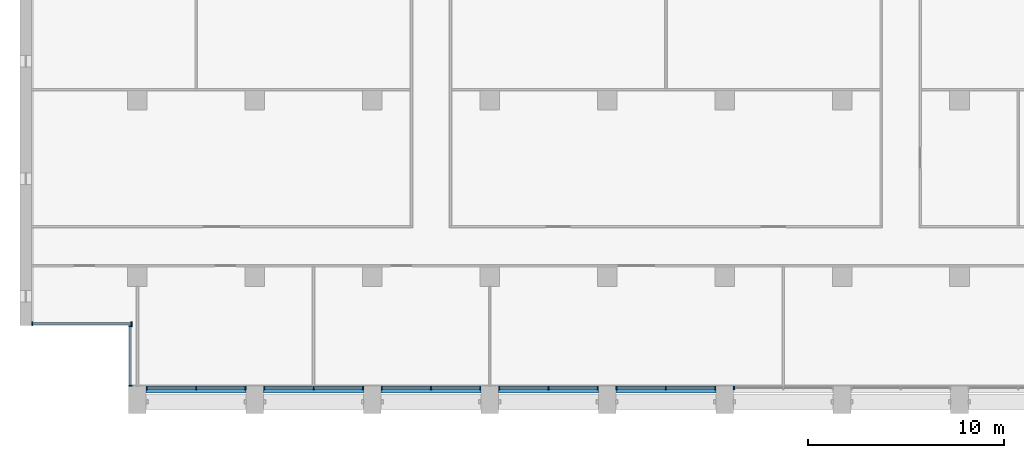
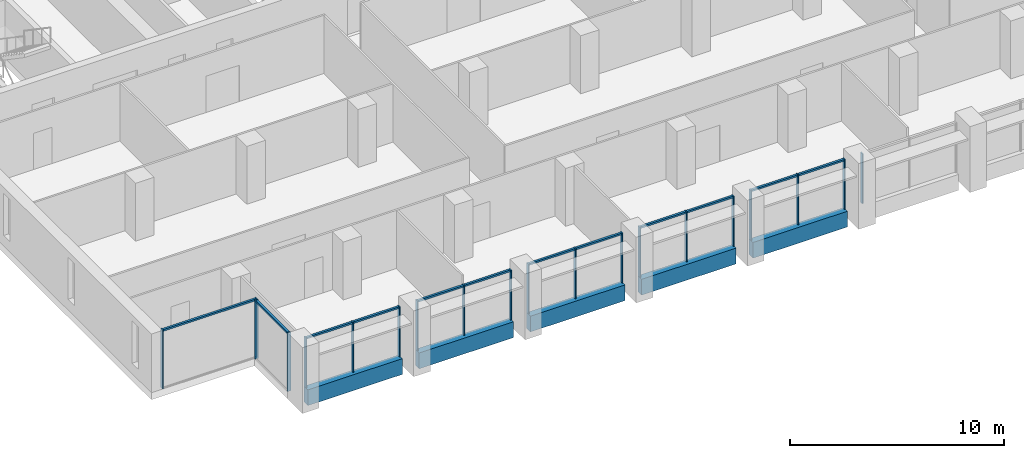
# One storey, part 2 of 17: 32 members, 5 beams, 8 elements without a shape of their own.
"""IFC4 building model written with IfcOpenShell, lengths in metres."""

from ifc_helpers import new_model, si_unit, direction, frame, origin, origin_2d, place, context, subcontext, project, spatial, rectangle, extrude, material, material_profile, profile_set, type_object, element, aggregate, save


model = new_model("IFC4")

# Units and contexts
model_context = context("Model", 3, precision=1e-05, world=origin(), true_north=direction((0.0, 1.0)))
body_context = subcontext(model_context, "Body", "Model", "MODEL_VIEW")
ifc_project = project(units=[si_unit("LENGTHUNIT", "METRE"), si_unit("AREAUNIT", "SQUARE_METRE"), si_unit("VOLUMEUNIT", "CUBIC_METRE"), si_unit("PLANEANGLEUNIT", "RADIAN"), si_unit("MASSUNIT", "GRAM", prefix="KILO")], contexts=[model_context])

# Site, building, storey
site_placement = place(None, origin())
site = spatial("IfcSite", under=ifc_project, at=site_placement, CompositionType="ELEMENT")
building_placement = place(site_placement, origin())
building = spatial("IfcBuilding", under=site, at=building_placement, Name="Calvaro Tower", CompositionType="ELEMENT")
storey_placement = place(building_placement, frame((0.0, 0.0, 215.5)))
storey = spatial("IfcBuildingStorey", under=building, at=storey_placement, Name="L54", CompositionType="ELEMENT", Elevation=215.5)

# Curtain wall, members
ifc_material_1 = material(Name="Anodised aluminium", Category="aluminium")
curtain_wall_type = type_object("IfcCurtainWallType", Name="Office curtain wall, upper zone", PredefinedType="NOTDEFINED", material=ifc_material_1)
curtain_wall_1_placement = place(storey_placement, origin())
curtain_wall_1 = element("IfcCurtainWall", 1, at=curtain_wall_1_placement, inside=storey, type_object=curtain_wall_type, Name="CW3 south curtain wall", PredefinedType="NOTDEFINED")
ifc_material_2 = material(Name="Anodised aluminium", Category="aluminium")
ifc_material_profile_1 = material_profile(ifc_material_2, rectangle(XDim=0.179931640625, YDim=0.06005859375, at=origin_2d()), Name="Mullion S3 60 x 180")
ifc_profile_set_1 = profile_set([ifc_material_profile_1], Name="Anodised aluminium")
member_type_1 = type_object("IfcMemberType", Name="Mullion S3 60 x 180", PredefinedType="MULLION", material=ifc_profile_set_1)
member_1_placement = place(storey_placement, frame((12.47998046875, 4.31005859375, 0.0), z_axis=(0.0, 0.0, 1.0), x_axis=(0.0, 1.0, 0.0)))
member_1 = element("IfcMember", 2, at=member_1_placement, type_object=member_type_1, Name="CW3 mullion 1", PredefinedType="MULLION", context=body_context, shape_type="SweptSolid", body=[
    extrude(rectangle(XDim=0.179931640625, YDim=0.06005859375, at=origin_2d()), origin(), (0.0, 0.0, 1.0), 2.85009765625),
])
member_2_placement = place(storey_placement, frame((15.0, 4.31005859375, 0.0), z_axis=(0.0, 0.0, 1.0), x_axis=(0.0, 1.0, 0.0)))
member_2 = element("IfcMember", 3, at=member_2_placement, type_object=member_type_1, Name="CW3 mullion 2", PredefinedType="MULLION", context=body_context, shape_type="SweptSolid", body=[
    extrude(rectangle(XDim=0.179931640625, YDim=0.06005859375, at=origin_2d()), origin(), (0.0, 0.0, 1.0), 2.85009765625),
])
member_3_placement = place(storey_placement, frame((17.52001953125, 4.31005859375, 0.0), z_axis=(0.0, 0.0, 1.0), x_axis=(0.0, 1.0, 0.0)))
member_3 = element("IfcMember", 4, at=member_3_placement, type_object=member_type_1, Name="CW3 mullion 3", PredefinedType="MULLION", context=body_context, shape_type="SweptSolid", body=[
    extrude(rectangle(XDim=0.179931640625, YDim=0.06005859375, at=origin_2d()), origin(), (0.0, 0.0, 1.0), 2.85009765625),
])

curtain_wall_2_placement = place(storey_placement, origin())
curtain_wall_2 = element("IfcCurtainWall", 5, at=curtain_wall_2_placement, inside=storey, type_object=curtain_wall_type, Name="CW3 south curtain wall", PredefinedType="NOTDEFINED")
member_4_placement = place(storey_placement, frame((18.47998046875, 4.31005859375, 0.0), z_axis=(0.0, 0.0, 1.0), x_axis=(0.0, 1.0, 0.0)))
member_4 = element("IfcMember", 6, at=member_4_placement, type_object=member_type_1, Name="CW3 mullion 1", PredefinedType="MULLION", context=body_context, shape_type="SweptSolid", body=[
    extrude(rectangle(XDim=0.179931640625, YDim=0.06005859375, at=origin_2d()), origin(), (0.0, 0.0, 1.0), 2.85009765625),
])
member_5_placement = place(storey_placement, frame((21.0, 4.31005859375, 0.0), z_axis=(0.0, 0.0, 1.0), x_axis=(0.0, 1.0, 0.0)))
member_5 = element("IfcMember", 7, at=member_5_placement, type_object=member_type_1, Name="CW3 mullion 2", PredefinedType="MULLION", context=body_context, shape_type="SweptSolid", body=[
    extrude(rectangle(XDim=0.179931640625, YDim=0.06005859375, at=origin_2d()), origin(), (0.0, 0.0, 1.0), 2.85009765625),
])
member_6_placement = place(storey_placement, frame((23.52001953125, 4.31005859375, 0.0), z_axis=(0.0, 0.0, 1.0), x_axis=(0.0, 1.0, 0.0)))
member_6 = element("IfcMember", 8, at=member_6_placement, type_object=member_type_1, Name="CW3 mullion 3", PredefinedType="MULLION", context=body_context, shape_type="SweptSolid", body=[
    extrude(rectangle(XDim=0.179931640625, YDim=0.06005859375, at=origin_2d()), origin(), (0.0, 0.0, 1.0), 2.85009765625),
])

curtain_wall_3_placement = place(storey_placement, origin())
curtain_wall_3 = element("IfcCurtainWall", 9, at=curtain_wall_3_placement, inside=storey, type_object=curtain_wall_type, Name="CW3 south curtain wall", PredefinedType="NOTDEFINED")
member_7_placement = place(storey_placement, frame((24.47998046875, 4.31005859375, 0.0), z_axis=(0.0, 0.0, 1.0), x_axis=(0.0, 1.0, 0.0)))
member_7 = element("IfcMember", 10, at=member_7_placement, type_object=member_type_1, Name="CW3 mullion 1", PredefinedType="MULLION", context=body_context, shape_type="SweptSolid", body=[
    extrude(rectangle(XDim=0.179931640625, YDim=0.06005859375, at=origin_2d()), origin(), (0.0, 0.0, 1.0), 2.85009765625),
])
member_8_placement = place(storey_placement, frame((27.0, 4.31005859375, 0.0), z_axis=(0.0, 0.0, 1.0), x_axis=(0.0, 1.0, 0.0)))
member_8 = element("IfcMember", 11, at=member_8_placement, type_object=member_type_1, Name="CW3 mullion 2", PredefinedType="MULLION", context=body_context, shape_type="SweptSolid", body=[
    extrude(rectangle(XDim=0.179931640625, YDim=0.06005859375, at=origin_2d()), origin(), (0.0, 0.0, 1.0), 2.85009765625),
])
member_9_placement = place(storey_placement, frame((29.52001953125, 4.31005859375, 0.0), z_axis=(0.0, 0.0, 1.0), x_axis=(0.0, 1.0, 0.0)))
member_9 = element("IfcMember", 12, at=member_9_placement, type_object=member_type_1, Name="CW3 mullion 3", PredefinedType="MULLION", context=body_context, shape_type="SweptSolid", body=[
    extrude(rectangle(XDim=0.179931640625, YDim=0.06005859375, at=origin_2d()), origin(), (0.0, 0.0, 1.0), 2.85009765625),
])

curtain_wall_4_placement = place(storey_placement, origin())
curtain_wall_4 = element("IfcCurtainWall", 13, at=curtain_wall_4_placement, inside=storey, type_object=curtain_wall_type, Name="CW3 south curtain wall", PredefinedType="NOTDEFINED")
member_10_placement = place(storey_placement, frame((30.47998046875, 4.31005859375, 0.0), z_axis=(0.0, 0.0, 1.0), x_axis=(0.0, 1.0, 0.0)))
member_10 = element("IfcMember", 14, at=member_10_placement, type_object=member_type_1, Name="CW3 mullion 1", PredefinedType="MULLION", context=body_context, shape_type="SweptSolid", body=[
    extrude(rectangle(XDim=0.179931640625, YDim=0.06005859375, at=origin_2d()), origin(), (0.0, 0.0, 1.0), 2.85009765625),
])
member_11_placement = place(storey_placement, frame((33.0, 4.31005859375, 0.0), z_axis=(0.0, 0.0, 1.0), x_axis=(0.0, 1.0, 0.0)))
member_11 = element("IfcMember", 15, at=member_11_placement, type_object=member_type_1, Name="CW3 mullion 2", PredefinedType="MULLION", context=body_context, shape_type="SweptSolid", body=[
    extrude(rectangle(XDim=0.179931640625, YDim=0.06005859375, at=origin_2d()), origin(), (0.0, 0.0, 1.0), 2.85009765625),
])
member_12_placement = place(storey_placement, frame((35.52001953125, 4.31005859375, 0.0), z_axis=(0.0, 0.0, 1.0), x_axis=(0.0, 1.0, 0.0)))
member_12 = element("IfcMember", 16, at=member_12_placement, type_object=member_type_1, Name="CW3 mullion 3", PredefinedType="MULLION", context=body_context, shape_type="SweptSolid", body=[
    extrude(rectangle(XDim=0.179931640625, YDim=0.06005859375, at=origin_2d()), origin(), (0.0, 0.0, 1.0), 2.85009765625),
])

curtain_wall_5_placement = place(storey_placement, origin())
curtain_wall_5 = element("IfcCurtainWall", 17, at=curtain_wall_5_placement, inside=storey, type_object=curtain_wall_type, Name="CW3 south curtain wall", PredefinedType="NOTDEFINED")
member_13_placement = place(storey_placement, frame((36.47998046875, 4.31005859375, 0.0), z_axis=(0.0, 0.0, 1.0), x_axis=(0.0, 1.0, 0.0)))
member_13 = element("IfcMember", 18, at=member_13_placement, type_object=member_type_1, Name="CW3 mullion 1", PredefinedType="MULLION", context=body_context, shape_type="SweptSolid", body=[
    extrude(rectangle(XDim=0.179931640625, YDim=0.06005859375, at=origin_2d()), origin(), (0.0, 0.0, 1.0), 2.85009765625),
])
member_14_placement = place(storey_placement, frame((39.0, 4.31005859375, 0.0), z_axis=(0.0, 0.0, 1.0), x_axis=(0.0, 1.0, 0.0)))
member_14 = element("IfcMember", 19, at=member_14_placement, type_object=member_type_1, Name="CW3 mullion 2", PredefinedType="MULLION", context=body_context, shape_type="SweptSolid", body=[
    extrude(rectangle(XDim=0.179931640625, YDim=0.06005859375, at=origin_2d()), origin(), (0.0, 0.0, 1.0), 2.85009765625),
])
member_15_placement = place(storey_placement, frame((41.52001953125, 4.31005859375, 0.0), z_axis=(0.0, 0.0, 1.0), x_axis=(0.0, 1.0, 0.0)))
member_15 = element("IfcMember", 20, at=member_15_placement, type_object=member_type_1, Name="CW3 mullion 3", PredefinedType="MULLION", context=body_context, shape_type="SweptSolid", body=[
    extrude(rectangle(XDim=0.179931640625, YDim=0.06005859375, at=origin_2d()), origin(), (0.0, 0.0, 1.0), 2.85009765625),
])

# Curtain wall, member
curtain_wall_6_placement = place(storey_placement, origin())
curtain_wall_6 = element("IfcCurtainWall", 21, at=curtain_wall_6_placement, inside=storey, type_object=curtain_wall_type, Name="CW3 south curtain wall", PredefinedType="NOTDEFINED")
member_16_placement = place(storey_placement, frame((42.47998046875, 4.31005859375, 0.0), z_axis=(0.0, 0.0, 1.0), x_axis=(0.0, 1.0, 0.0)))
member_16 = element("IfcMember", 22, at=member_16_placement, type_object=member_type_1, Name="CW3 mullion 1", PredefinedType="MULLION", context=body_context, shape_type="SweptSolid", body=[
    extrude(rectangle(XDim=0.179931640625, YDim=0.06005859375, at=origin_2d()), origin(), (0.0, 0.0, 1.0), 2.85009765625),
])
aggregate(curtain_wall_6, [member_16])

# Curtain wall, members
curtain_wall_7_placement = place(storey_placement, origin())
curtain_wall_7 = element("IfcCurtainWall", 23, at=curtain_wall_7_placement, inside=storey, type_object=curtain_wall_type, Name="CW3 corner curtain wall", PredefinedType="NOTDEFINED")
member_17_placement = place(storey_placement, frame((11.639892578125, 4.429931640625, 0.0), z_axis=(0.0, 0.0, 1.0), x_axis=(-1.0, 0.0, 0.0)))
member_17 = element("IfcMember", 24, at=member_17_placement, type_object=member_type_1, Name="CW3 mullion 1", PredefinedType="MULLION", context=body_context, shape_type="SweptSolid", body=[
    extrude(rectangle(XDim=0.179931640625, YDim=0.06005859375, at=origin_2d()), origin(), (0.0, 0.0, 1.0), 3.35009765625),
])
member_18_placement = place(storey_placement, frame((11.639892578125, 7.469970703125, 0.0), z_axis=(0.0, 0.0, 1.0), x_axis=(-1.0, 0.0, 0.0)))
member_18 = element("IfcMember", 25, at=member_18_placement, type_object=member_type_1, Name="CW3 mullion 2", PredefinedType="MULLION", context=body_context, shape_type="SweptSolid", body=[
    extrude(rectangle(XDim=0.179931640625, YDim=0.06005859375, at=origin_2d()), origin(), (0.0, 0.0, 1.0), 3.35009765625),
])

curtain_wall_8_placement = place(storey_placement, origin())
curtain_wall_8 = element("IfcCurtainWall", 26, at=curtain_wall_8_placement, inside=storey, type_object=curtain_wall_type, Name="CW3 corner curtain wall", PredefinedType="NOTDEFINED")
member_19_placement = place(storey_placement, frame((6.6298828125, 7.590087890625, 0.0), z_axis=(0.0, 0.0, 1.0), x_axis=(0.0, 1.0, 0.0)))
member_19 = element("IfcMember", 27, at=member_19_placement, type_object=member_type_1, Name="CW3 mullion 1", PredefinedType="MULLION", context=body_context, shape_type="SweptSolid", body=[
    extrude(rectangle(XDim=0.179931640625, YDim=0.06005859375, at=origin_2d()), origin(), (0.0, 0.0, 1.0), 3.35009765625),
])
member_20_placement = place(storey_placement, frame((11.699951171875, 7.590087890625, 0.0), z_axis=(0.0, 0.0, 1.0), x_axis=(0.0, 1.0, 0.0)))
member_20 = element("IfcMember", 28, at=member_20_placement, type_object=member_type_1, Name="CW3 mullion 2", PredefinedType="MULLION", context=body_context, shape_type="SweptSolid", body=[
    extrude(rectangle(XDim=0.179931640625, YDim=0.06005859375, at=origin_2d()), origin(), (0.0, 0.0, 1.0), 3.35009765625),
])

# Beams
ifc_material_3 = material(Name="Concrete C50/60 precast", Category="concrete")
ifc_material_profile_2 = material_profile(ifc_material_3, rectangle(XDim=0.35009765625, YDim=0.89990234375, at=origin_2d()), Name="RC 350x900")
ifc_profile_set_2 = profile_set([ifc_material_profile_2], Name="Concrete C50/60 precast")
beam_type = type_object("IfcBeamType", Name="Spandrel beam 350x900 C50/60", PredefinedType="SPANDREL", material=ifc_profile_set_2)
for number, where, z_axis, x_axis, name in (
    (29, (12.449951171875, 4.22509765625, -0.449951171875), (1.0, 0.0, 0.0), (0.0, 1.0, 0.0), "Spandrel beam"),
    (30, (18.449951171875, 4.22509765625, -0.449951171875), (1.0, 0.0, 0.0), (0.0, 1.0, 0.0), "Spandrel beam"),
    (31, (24.449951171875, 4.22509765625, -0.449951171875), (1.0, 0.0, 0.0), (0.0, 1.0, 0.0), "Spandrel beam"),
    (32, (30.449951171875, 4.22509765625, -0.449951171875), (1.0, 0.0, 0.0), (0.0, 1.0, 0.0), "Spandrel beam"),
    (33, (36.449951171875, 4.22509765625, -0.449951171875), (1.0, 0.0, 0.0), (0.0, 1.0, 0.0), "Spandrel beam"),
):
    element("IfcBeam", number, at=place(storey_placement, frame(where, z_axis=z_axis, x_axis=x_axis)), inside=storey, type_object=beam_type, Name=name, PredefinedType="SPANDREL", context=body_context, shape_type="SweptSolid", body=[
        extrude(rectangle(XDim=0.35009765625, YDim=0.89990234375, at=origin_2d()), origin(), (0.0, 0.0, 1.0), 5.10009765625),
    ])

# Member
ifc_material_4 = material(Name="Anodised aluminium", Category="aluminium")
ifc_material_profile_3 = material_profile(ifc_material_4, rectangle(XDim=0.1201171875, YDim=0.10009765625, at=origin_2d()), Name="Transom S3 100 x 120")
ifc_profile_set_3 = profile_set([ifc_material_profile_3], Name="Anodised aluminium")
member_type_2 = type_object("IfcMemberType", Name="Transom S3 100 x 120", PredefinedType="USERDEFINED", material=ifc_profile_set_3)
member_21_placement = place(storey_placement, frame((12.510009765625, 4.31005859375, 2.800048828125), z_axis=(1.0, 0.0, 0.0), x_axis=(0.0, 1.0, 0.0)))
member_21 = element("IfcMember", 34, at=member_21_placement, type_object=member_type_2, Name="CW3 transom 1.1", ObjectType="TRANSOM", PredefinedType="USERDEFINED", context=body_context, shape_type="SweptSolid", body=[
    extrude(rectangle(XDim=0.1201171875, YDim=0.10009765625, at=origin_2d()), origin(), (0.0, 0.0, 1.0), 2.4599609375),
])

member_22_placement = place(storey_placement, frame((15.030029296875, 4.31005859375, 2.800048828125), z_axis=(1.0, 0.0, 0.0), x_axis=(0.0, 1.0, 0.0)))
member_22 = element("IfcMember", 35, at=member_22_placement, type_object=member_type_2, Name="CW3 transom 2.1", ObjectType="TRANSOM", PredefinedType="USERDEFINED", context=body_context, shape_type="SweptSolid", body=[
    extrude(rectangle(XDim=0.1201171875, YDim=0.10009765625, at=origin_2d()), origin(), (0.0, 0.0, 1.0), 2.4599609375),
])

aggregate(curtain_wall_1, [member_1, member_2, member_3, member_21, member_22])

member_23_placement = place(storey_placement, frame((18.510009765625, 4.31005859375, 2.800048828125), z_axis=(1.0, 0.0, 0.0), x_axis=(0.0, 1.0, 0.0)))
member_23 = element("IfcMember", 36, at=member_23_placement, type_object=member_type_2, Name="CW3 transom 1.1", ObjectType="TRANSOM", PredefinedType="USERDEFINED", context=body_context, shape_type="SweptSolid", body=[
    extrude(rectangle(XDim=0.1201171875, YDim=0.10009765625, at=origin_2d()), origin(), (0.0, 0.0, 1.0), 2.4599609375),
])

member_24_placement = place(storey_placement, frame((21.030029296875, 4.31005859375, 2.800048828125), z_axis=(1.0, 0.0, 0.0), x_axis=(0.0, 1.0, 0.0)))
member_24 = element("IfcMember", 37, at=member_24_placement, type_object=member_type_2, Name="CW3 transom 2.1", ObjectType="TRANSOM", PredefinedType="USERDEFINED", context=body_context, shape_type="SweptSolid", body=[
    extrude(rectangle(XDim=0.1201171875, YDim=0.10009765625, at=origin_2d()), origin(), (0.0, 0.0, 1.0), 2.4599609375),
])

aggregate(curtain_wall_2, [member_4, member_5, member_6, member_23, member_24])

member_25_placement = place(storey_placement, frame((24.510009765625, 4.31005859375, 2.800048828125), z_axis=(1.0, 0.0, 0.0), x_axis=(0.0, 1.0, 0.0)))
member_25 = element("IfcMember", 38, at=member_25_placement, type_object=member_type_2, Name="CW3 transom 1.1", ObjectType="TRANSOM", PredefinedType="USERDEFINED", context=body_context, shape_type="SweptSolid", body=[
    extrude(rectangle(XDim=0.1201171875, YDim=0.10009765625, at=origin_2d()), origin(), (0.0, 0.0, 1.0), 2.4599609375),
])

member_26_placement = place(storey_placement, frame((27.030029296875, 4.31005859375, 2.800048828125), z_axis=(1.0, 0.0, 0.0), x_axis=(0.0, 1.0, 0.0)))
member_26 = element("IfcMember", 39, at=member_26_placement, type_object=member_type_2, Name="CW3 transom 2.1", ObjectType="TRANSOM", PredefinedType="USERDEFINED", context=body_context, shape_type="SweptSolid", body=[
    extrude(rectangle(XDim=0.1201171875, YDim=0.10009765625, at=origin_2d()), origin(), (0.0, 0.0, 1.0), 2.4599609375),
])

aggregate(curtain_wall_3, [member_7, member_8, member_9, member_25, member_26])

member_27_placement = place(storey_placement, frame((30.510009765625, 4.31005859375, 2.800048828125), z_axis=(1.0, 0.0, 0.0), x_axis=(0.0, 1.0, 0.0)))
member_27 = element("IfcMember", 40, at=member_27_placement, type_object=member_type_2, Name="CW3 transom 1.1", ObjectType="TRANSOM", PredefinedType="USERDEFINED", context=body_context, shape_type="SweptSolid", body=[
    extrude(rectangle(XDim=0.1201171875, YDim=0.10009765625, at=origin_2d()), origin(), (0.0, 0.0, 1.0), 2.4599609375),
])

member_28_placement = place(storey_placement, frame((33.030029296875, 4.31005859375, 2.800048828125), z_axis=(1.0, 0.0, 0.0), x_axis=(0.0, 1.0, 0.0)))
member_28 = element("IfcMember", 41, at=member_28_placement, type_object=member_type_2, Name="CW3 transom 2.1", ObjectType="TRANSOM", PredefinedType="USERDEFINED", context=body_context, shape_type="SweptSolid", body=[
    extrude(rectangle(XDim=0.1201171875, YDim=0.10009765625, at=origin_2d()), origin(), (0.0, 0.0, 1.0), 2.4599609375),
])

aggregate(curtain_wall_4, [member_10, member_11, member_12, member_27, member_28])

member_29_placement = place(storey_placement, frame((36.510009765625, 4.31005859375, 2.800048828125), z_axis=(1.0, 0.0, 0.0), x_axis=(0.0, 1.0, 0.0)))
member_29 = element("IfcMember", 42, at=member_29_placement, type_object=member_type_2, Name="CW3 transom 1.1", ObjectType="TRANSOM", PredefinedType="USERDEFINED", context=body_context, shape_type="SweptSolid", body=[
    extrude(rectangle(XDim=0.1201171875, YDim=0.10009765625, at=origin_2d()), origin(), (0.0, 0.0, 1.0), 2.4599609375),
])

member_30_placement = place(storey_placement, frame((39.030029296875, 4.31005859375, 2.800048828125), z_axis=(1.0, 0.0, 0.0), x_axis=(0.0, 1.0, 0.0)))
member_30 = element("IfcMember", 43, at=member_30_placement, type_object=member_type_2, Name="CW3 transom 2.1", ObjectType="TRANSOM", PredefinedType="USERDEFINED", context=body_context, shape_type="SweptSolid", body=[
    extrude(rectangle(XDim=0.1201171875, YDim=0.10009765625, at=origin_2d()), origin(), (0.0, 0.0, 1.0), 2.4599609375),
])

aggregate(curtain_wall_5, [member_13, member_14, member_15, member_29, member_30])

member_31_placement = place(storey_placement, frame((11.639892578125, 4.4599609375, 3.300048828125), z_axis=(0.0, 1.0, 0.0), x_axis=(-1.0, 0.0, 0.0)))
member_31 = element("IfcMember", 44, at=member_31_placement, type_object=member_type_2, Name="CW3 transom 1.1", ObjectType="TRANSOM", PredefinedType="USERDEFINED", context=body_context, shape_type="SweptSolid", body=[
    extrude(rectangle(XDim=0.1201171875, YDim=0.10009765625, at=origin_2d()), origin(), (0.0, 0.0, 1.0), 2.97998046875),
])

aggregate(curtain_wall_7, [member_17, member_18, member_31])

member_32_placement = place(storey_placement, frame((6.659912109375, 7.590087890625, 3.300048828125), z_axis=(1.0, 0.0, 0.0), x_axis=(0.0, 1.0, 0.0)))
member_32 = element("IfcMember", 45, at=member_32_placement, type_object=member_type_2, Name="CW3 transom 1.1", ObjectType="TRANSOM", PredefinedType="USERDEFINED", context=body_context, shape_type="SweptSolid", body=[
    extrude(rectangle(XDim=0.1201171875, YDim=0.10009765625, at=origin_2d()), origin(), (0.0, 0.0, 1.0), 5.010009765625),
])

aggregate(curtain_wall_8, [member_19, member_20, member_32])

save(model, "model.ifc")
